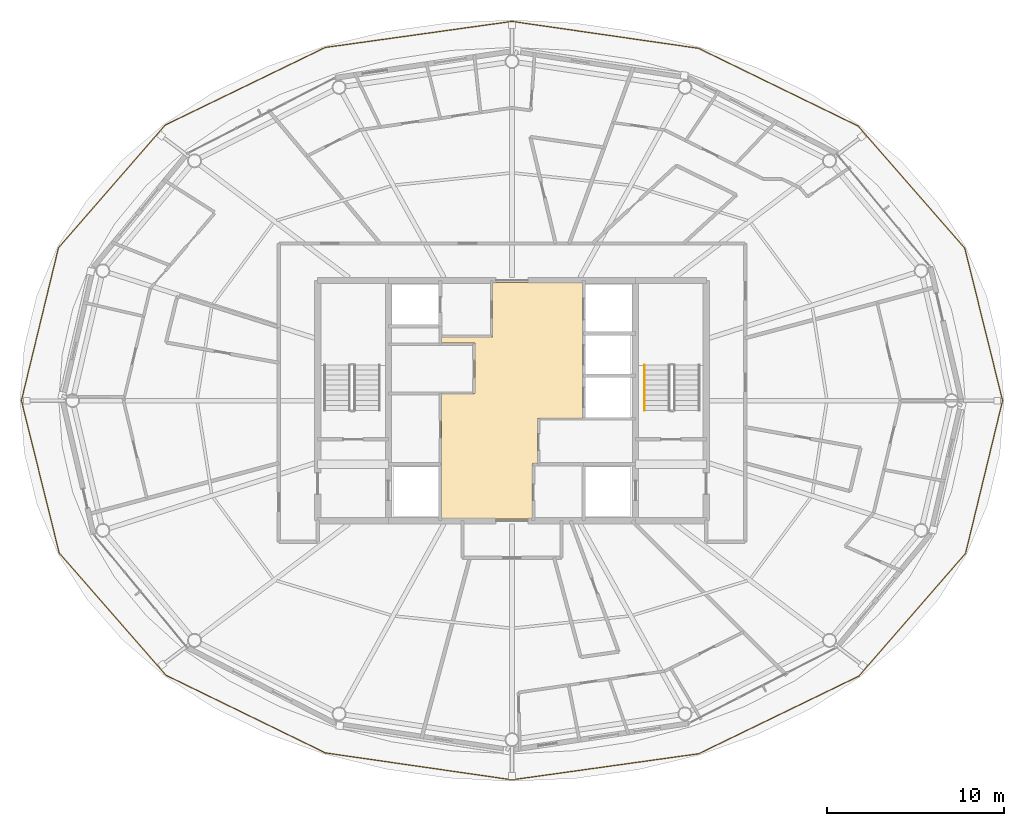
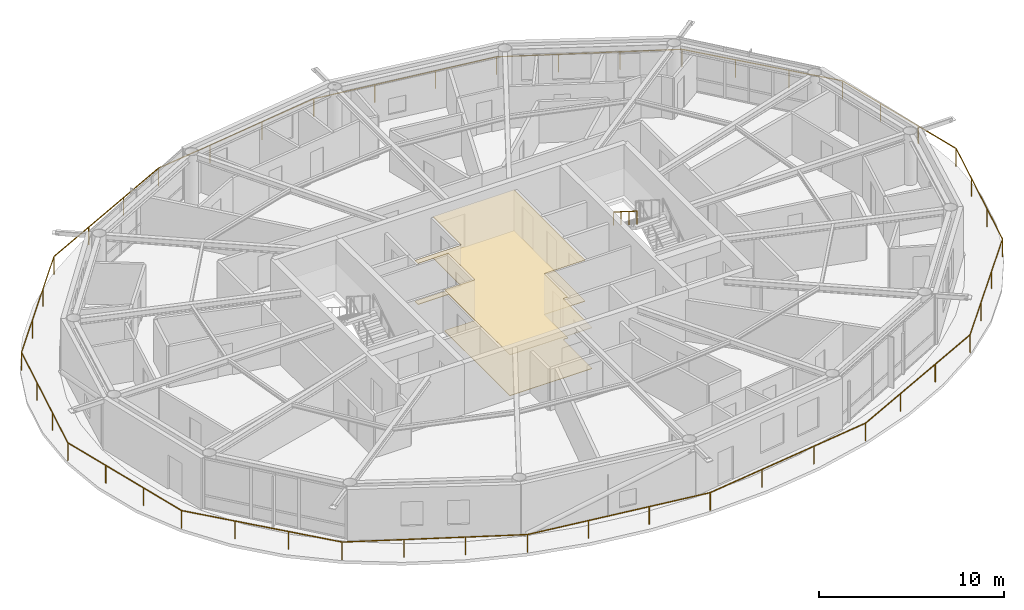
# One storey, part 22 of 23: 2 coverings, 2 railings.
"""IFC4 building model written with IfcOpenShell, lengths in metres."""

from ifc_helpers import new_model, si_unit, direction, frame, origin, origin_2d, place, context, subcontext, project, spatial, polyline, rectangle, outline, extrude, material, layer, layer_set, type_object, element, save


model = new_model("IFC4")

# Units and contexts
model_context = context("Model", 3, precision=1e-05, world=origin(), true_north=direction((0.0, 1.0)))
body_context = subcontext(model_context, "Body", "Model", "MODEL_VIEW")
ifc_project = project(units=[si_unit("LENGTHUNIT", "METRE"), si_unit("AREAUNIT", "SQUARE_METRE"), si_unit("VOLUMEUNIT", "CUBIC_METRE"), si_unit("PLANEANGLEUNIT", "RADIAN"), si_unit("MASSUNIT", "GRAM", prefix="KILO")], contexts=[model_context])

# Site, building, storey
site_placement = place(None, origin())
site = spatial("IfcSite", under=ifc_project, at=site_placement, CompositionType="ELEMENT")
building_placement = place(site_placement, origin())
building = spatial("IfcBuilding", under=site, at=building_placement, Name="Sarneth Arch Tower", CompositionType="ELEMENT")
storey_placement = place(building_placement, frame((0.0, 0.0, 265.800048828125)))
storey = spatial("IfcBuildingStorey", under=building, at=storey_placement, Name="L68", CompositionType="ELEMENT", Elevation=265.800048828125)

# Coverings
ifc_material_1 = material(Name="Perforated acoustic gypsum ceiling board")
ifc_layer_1 = layer(ifc_material_1, 0.02490234375)
ifc_layer_set_1 = layer_set([ifc_layer_1], Name="Perforated acoustic gypsum ceiling board")
covering_type_1 = type_object("IfcCoveringType", Name="COV-CEIL-GYP", PredefinedType="CEILING", material=ifc_layer_set_1)
covering_1_placement = place(storey_placement, frame((0.0, 0.0, 2.699951171875)))
element("IfcCovering", 1, at=covering_1_placement, inside=storey, type_object=covering_type_1, Name="L68 Lift lobby acoustic ceiling", PredefinedType="CEILING", context=body_context, shape_type="SweptSolid", body=[
    extrude(outline(polyline([(49.449951171875, 41.0), (49.449951171875, 38.449951171875), (49.14990234375, 38.449951171875), (49.14990234375, 35.300048828125), (44.0, 35.300048828125), (44.0, 42.39990234375), (45.89990234375, 42.39990234375), (45.89990234375, 45.25), (44.0, 45.25), (44.0, 45.60009765625), (46.89990234375, 45.60009765625), (46.89990234375, 48.699951171875), (52.0, 48.699951171875), (52.0, 41.0), (49.449951171875, 41.0)])), origin(), (0.0, 0.0, 1.0), 0.030029296875),
])
ifc_material_2 = material(Name="Honed granite stone flooring", Category="masonry")
ifc_layer_2 = layer(ifc_material_2, 0.030029296875)
ifc_layer_set_2 = layer_set([ifc_layer_2], Name="Honed granite stone flooring")
covering_type_2 = type_object("IfcCoveringType", Name="COV-FLR-STONE", PredefinedType="FLOORING", material=ifc_layer_set_2)
covering_2_placement = place(storey_placement, origin())
element("IfcCovering", 2, at=covering_2_placement, inside=storey, type_object=covering_type_2, Name="L68 Lift lobby granite flooring", PredefinedType="FLOORING", context=body_context, shape_type="SweptSolid", body=[
    extrude(outline(polyline([(49.449951171875, 41.0), (49.449951171875, 38.449951171875), (49.14990234375, 38.449951171875), (49.14990234375, 35.300048828125), (44.0, 35.300048828125), (44.0, 42.39990234375), (45.89990234375, 42.39990234375), (45.89990234375, 45.25), (44.0, 45.25), (44.0, 45.60009765625), (46.89990234375, 45.60009765625), (46.89990234375, 48.699951171875), (52.0, 48.699951171875), (52.0, 41.0), (49.449951171875, 41.0)])), origin(), (0.0, 0.0, 1.0), 0.030029296875),
])

# Railings
ifc_material_3 = material(Name="Laminated structural glass infill with Stainless Steel 316 top rail and posts", Category="steel")
railing_type_1 = type_object("IfcRailingType", Name="RAIL-BALC-1200", PredefinedType="BALUSTRADE", material=ifc_material_3)
railing_1_placement = place(storey_placement, frame((75.779052734375, 42.0, 0.0)))
element("IfcRailing", 3, at=railing_1_placement, inside=storey, type_object=railing_type_1, Name="L68 Helical balcony glass balustrade", PredefinedType="BALUSTRADE", context=body_context, shape_type="SweptSolid", body=[
    extrude(rectangle(XDim=0.048095703125, YDim=0.048095703125, at=origin_2d()), frame((0.0, 0.0, 1.17578125), z_axis=(-0.240745236753, 0.970588342698, 0.0), x_axis=(-0.970588342698, -0.240745236753, 0.0)), (0.0, 0.0, 1.0), 8.8896484375),
    extrude(rectangle(XDim=0.048095703125, YDim=0.048095703125, at=origin_2d()), frame((-2.14013671875, 8.628173828125, 1.17578125), z_axis=(-0.657716047195, 0.753265956527, 0.0), x_axis=(-0.753265956527, -0.657716047195, 0.0)), (0.0, 0.0, 1.0), 9.188232421875),
    extrude(rectangle(XDim=0.048095703125, YDim=0.048095703125, at=origin_2d()), frame((-8.183349609375, 15.54931640625, 1.17578125), z_axis=(-0.899103862188, 0.437735359547, 0.0), x_axis=(-0.437735359547, -0.899103862188, 0.0)), (0.0, 0.0, 1.0), 10.051513671875),
    extrude(rectangle(XDim=0.048095703125, YDim=0.048095703125, at=origin_2d()), frame((-17.220703125, 19.94921875, 1.17578125), z_axis=(-0.989763264235, 0.142718887224, 0.0), x_axis=(-0.142718887224, -0.989763264235, 0.0)), (0.0, 0.0, 1.0), 10.66748046875),
    extrude(rectangle(XDim=0.048095703125, YDim=0.048095703125, at=origin_2d()), frame((-27.779052734375, 21.4716796875, 1.17578125), z_axis=(-0.990388291125, -0.138314976787, 0.0), x_axis=(0.138314976787, -0.990388291125, 0.0)), (0.0, 0.0, 1.0), 10.67529296875),
    extrude(rectangle(XDim=0.048095703125, YDim=0.048095703125, at=origin_2d()), frame((-38.351806640625, 19.9951171875, 1.17578125), z_axis=(-0.89993777994, -0.436018339334, 0.0), x_axis=(0.436018339334, -0.89993777994, 0.0)), (0.0, 0.0, 1.0), 10.071533203125),
    extrude(rectangle(XDim=0.048095703125, YDim=0.048095703125, at=origin_2d()), frame((-47.41552734375, 15.603759765625, 1.17578125), z_axis=(-0.65612228702, -0.754654586202, 0.0), x_axis=(0.754654586202, -0.65612228702, 0.0)), (0.0, 0.0, 1.0), 9.21240234375),
    extrude(rectangle(XDim=0.048095703125, YDim=0.048095703125, at=origin_2d()), frame((-53.4599609375, 8.651611328125, 1.17578125), z_axis=(-0.235683224853, -0.971829932407, 0.0), x_axis=(0.971829932407, -0.235683224853, 0.0)), (0.0, 0.0, 1.0), 8.90234375),
    extrude(rectangle(XDim=0.048095703125, YDim=0.048095703125, at=origin_2d()), frame((-55.55810546875, 0.0, 1.17578125), z_axis=(0.240745236753, -0.970588342698, 0.0), x_axis=(0.970588342698, 0.240745236753, 0.0)), (0.0, 0.0, 1.0), 8.8896484375),
    extrude(rectangle(XDim=0.048095703125, YDim=0.048095703125, at=origin_2d()), frame((-53.41796875, -8.628173828125, 1.17578125), z_axis=(0.657716047195, -0.753265956527, 0.0), x_axis=(0.753265956527, 0.657716047195, 0.0)), (0.0, 0.0, 1.0), 9.188232421875),
    extrude(rectangle(XDim=0.048095703125, YDim=0.048095703125, at=origin_2d()), frame((-47.374755859375, -15.54931640625, 1.17578125), z_axis=(0.899103862188, -0.437735359547, 0.0), x_axis=(0.437735359547, 0.899103862188, 0.0)), (0.0, 0.0, 1.0), 10.051513671875),
    extrude(rectangle(XDim=0.048095703125, YDim=0.048095703125, at=origin_2d()), frame((-38.33740234375, -19.94921875, 1.17578125), z_axis=(0.989763264235, -0.142718887224, 0.0), x_axis=(0.142718887224, 0.989763264235, 0.0)), (0.0, 0.0, 1.0), 10.66748046875),
    extrude(rectangle(XDim=0.048095703125, YDim=0.048095703125, at=origin_2d()), frame((-27.779052734375, -21.4716796875, 1.17578125), z_axis=(0.990388291125, 0.138314976787, 0.0), x_axis=(-0.138314976787, 0.990388291125, 0.0)), (0.0, 0.0, 1.0), 10.67529296875),
    extrude(rectangle(XDim=0.048095703125, YDim=0.048095703125, at=origin_2d()), frame((-17.206298828125, -19.9951171875, 1.17578125), z_axis=(0.89993777994, 0.436018339334, 0.0), x_axis=(-0.436018339334, 0.89993777994, 0.0)), (0.0, 0.0, 1.0), 10.071533203125),
    extrude(rectangle(XDim=0.048095703125, YDim=0.048095703125, at=origin_2d()), frame((-8.142578125, -15.603759765625, 1.17578125), z_axis=(0.65612228702, 0.754654586202, 0.0), x_axis=(-0.754654586202, 0.65612228702, 0.0)), (0.0, 0.0, 1.0), 9.21240234375),
    extrude(rectangle(XDim=0.048095703125, YDim=0.048095703125, at=origin_2d()), frame((-2.09814453125, -8.651611328125, 1.17578125), z_axis=(0.235683224853, 0.971829932407, 0.0), x_axis=(-0.971829932407, 0.235683224853, 0.0)), (0.0, 0.0, 1.0), 8.90234375),
    extrude(rectangle(XDim=0.0419921875, YDim=0.0419921875, at=origin_2d()), origin(), (0.0, 0.0, 1.0), 1.15185546875),
    extrude(rectangle(XDim=0.0419921875, YDim=0.0419921875, at=origin_2d()), frame((-0.71337890625, 2.8759765625, 0.0)), (0.0, 0.0, 1.0), 1.15185546875),
    extrude(rectangle(XDim=0.0419921875, YDim=0.0419921875, at=origin_2d()), frame((-1.4267578125, 5.752197265625, 0.0)), (0.0, 0.0, 1.0), 1.15185546875),
    extrude(rectangle(XDim=0.0419921875, YDim=0.0419921875, at=origin_2d()), frame((-2.14013671875, 8.628173828125, 0.0)), (0.0, 0.0, 1.0), 1.15185546875),
    extrude(rectangle(XDim=0.0419921875, YDim=0.0419921875, at=origin_2d()), frame((-4.154541015625, 10.935302734375, 0.0)), (0.0, 0.0, 1.0), 1.15185546875),
    extrude(rectangle(XDim=0.0419921875, YDim=0.0419921875, at=origin_2d()), frame((-6.1689453125, 13.2421875, 0.0)), (0.0, 0.0, 1.0), 1.15185546875),
    extrude(rectangle(XDim=0.0419921875, YDim=0.0419921875, at=origin_2d()), frame((-8.183349609375, 15.54931640625, 0.0)), (0.0, 0.0, 1.0), 1.15185546875),
    extrude(rectangle(XDim=0.0419921875, YDim=0.0419921875, at=origin_2d()), frame((-11.19580078125, 17.015869140625, 0.0)), (0.0, 0.0, 1.0), 1.15185546875),
    extrude(rectangle(XDim=0.0419921875, YDim=0.0419921875, at=origin_2d()), frame((-14.208251953125, 18.482666015625, 0.0)), (0.0, 0.0, 1.0), 1.15185546875),
    extrude(rectangle(XDim=0.0419921875, YDim=0.0419921875, at=origin_2d()), frame((-17.220703125, 19.94921875, 0.0)), (0.0, 0.0, 1.0), 1.15185546875),
    extrude(rectangle(XDim=0.0419921875, YDim=0.0419921875, at=origin_2d()), frame((-20.740234375, 20.456787109375, 0.0)), (0.0, 0.0, 1.0), 1.15185546875),
    extrude(rectangle(XDim=0.0419921875, YDim=0.0419921875, at=origin_2d()), frame((-24.259521484375, 20.964111328125, 0.0)), (0.0, 0.0, 1.0), 1.15185546875),
    extrude(rectangle(XDim=0.0419921875, YDim=0.0419921875, at=origin_2d()), frame((-27.779052734375, 21.4716796875, 0.0)), (0.0, 0.0, 1.0), 1.15185546875),
    extrude(rectangle(XDim=0.0419921875, YDim=0.0419921875, at=origin_2d()), frame((-31.30322265625, 20.9794921875, 0.0)), (0.0, 0.0, 1.0), 1.15185546875),
    extrude(rectangle(XDim=0.0419921875, YDim=0.0419921875, at=origin_2d()), frame((-34.82763671875, 20.4873046875, 0.0)), (0.0, 0.0, 1.0), 1.15185546875),
    extrude(rectangle(XDim=0.0419921875, YDim=0.0419921875, at=origin_2d()), frame((-38.351806640625, 19.9951171875, 0.0)), (0.0, 0.0, 1.0), 1.15185546875),
    extrude(rectangle(XDim=0.0419921875, YDim=0.0419921875, at=origin_2d()), frame((-41.373046875, 18.53125, 0.0)), (0.0, 0.0, 1.0), 1.15185546875),
    extrude(rectangle(XDim=0.0419921875, YDim=0.0419921875, at=origin_2d()), frame((-44.394287109375, 17.067626953125, 0.0)), (0.0, 0.0, 1.0), 1.15185546875),
    extrude(rectangle(XDim=0.0419921875, YDim=0.0419921875, at=origin_2d()), frame((-47.41552734375, 15.603759765625, 0.0)), (0.0, 0.0, 1.0), 1.15185546875),
    extrude(rectangle(XDim=0.0419921875, YDim=0.0419921875, at=origin_2d()), frame((-49.430419921875, 13.286376953125, 0.0)), (0.0, 0.0, 1.0), 1.15185546875),
    extrude(rectangle(XDim=0.0419921875, YDim=0.0419921875, at=origin_2d()), frame((-51.445068359375, 10.968994140625, 0.0)), (0.0, 0.0, 1.0), 1.15185546875),
    extrude(rectangle(XDim=0.0419921875, YDim=0.0419921875, at=origin_2d()), frame((-53.4599609375, 8.651611328125, 0.0)), (0.0, 0.0, 1.0), 1.15185546875),
    extrude(rectangle(XDim=0.0419921875, YDim=0.0419921875, at=origin_2d()), frame((-54.159423828125, 5.767822265625, 0.0)), (0.0, 0.0, 1.0), 1.15185546875),
    extrude(rectangle(XDim=0.0419921875, YDim=0.0419921875, at=origin_2d()), frame((-54.858642578125, 2.8837890625, 0.0)), (0.0, 0.0, 1.0), 1.15185546875),
    extrude(rectangle(XDim=0.0419921875, YDim=0.0419921875, at=origin_2d()), frame((-55.55810546875, 0.0, 0.0)), (0.0, 0.0, 1.0), 1.15185546875),
    extrude(rectangle(XDim=0.0419921875, YDim=0.0419921875, at=origin_2d()), frame((-54.8447265625, -2.8759765625, 0.0)), (0.0, 0.0, 1.0), 1.15185546875),
    extrude(rectangle(XDim=0.0419921875, YDim=0.0419921875, at=origin_2d()), frame((-54.13134765625, -5.752197265625, 0.0)), (0.0, 0.0, 1.0), 1.15185546875),
    extrude(rectangle(XDim=0.0419921875, YDim=0.0419921875, at=origin_2d()), frame((-53.41796875, -8.628173828125, 0.0)), (0.0, 0.0, 1.0), 1.15185546875),
    extrude(rectangle(XDim=0.0419921875, YDim=0.0419921875, at=origin_2d()), frame((-51.403564453125, -10.935302734375, 0.0)), (0.0, 0.0, 1.0), 1.15185546875),
    extrude(rectangle(XDim=0.0419921875, YDim=0.0419921875, at=origin_2d()), frame((-49.38916015625, -13.2421875, 0.0)), (0.0, 0.0, 1.0), 1.15185546875),
    extrude(rectangle(XDim=0.0419921875, YDim=0.0419921875, at=origin_2d()), frame((-47.374755859375, -15.54931640625, 0.0)), (0.0, 0.0, 1.0), 1.15185546875),
    extrude(rectangle(XDim=0.0419921875, YDim=0.0419921875, at=origin_2d()), frame((-44.3623046875, -17.015869140625, 0.0)), (0.0, 0.0, 1.0), 1.15185546875),
    extrude(rectangle(XDim=0.0419921875, YDim=0.0419921875, at=origin_2d()), frame((-41.349853515625, -18.482666015625, 0.0)), (0.0, 0.0, 1.0), 1.15185546875),
    extrude(rectangle(XDim=0.0419921875, YDim=0.0419921875, at=origin_2d()), frame((-38.33740234375, -19.94921875, 0.0)), (0.0, 0.0, 1.0), 1.15185546875),
    extrude(rectangle(XDim=0.0419921875, YDim=0.0419921875, at=origin_2d()), frame((-34.81787109375, -20.456787109375, 0.0)), (0.0, 0.0, 1.0), 1.15185546875),
    extrude(rectangle(XDim=0.0419921875, YDim=0.0419921875, at=origin_2d()), frame((-31.298583984375, -20.964111328125, 0.0)), (0.0, 0.0, 1.0), 1.15185546875),
    extrude(rectangle(XDim=0.0419921875, YDim=0.0419921875, at=origin_2d()), frame((-27.779052734375, -21.4716796875, 0.0)), (0.0, 0.0, 1.0), 1.15185546875),
    extrude(rectangle(XDim=0.0419921875, YDim=0.0419921875, at=origin_2d()), frame((-24.2548828125, -20.9794921875, 0.0)), (0.0, 0.0, 1.0), 1.15185546875),
    extrude(rectangle(XDim=0.0419921875, YDim=0.0419921875, at=origin_2d()), frame((-20.73046875, -20.4873046875, 0.0)), (0.0, 0.0, 1.0), 1.15185546875),
    extrude(rectangle(XDim=0.0419921875, YDim=0.0419921875, at=origin_2d()), frame((-17.206298828125, -19.9951171875, 0.0)), (0.0, 0.0, 1.0), 1.15185546875),
    extrude(rectangle(XDim=0.0419921875, YDim=0.0419921875, at=origin_2d()), frame((-14.18505859375, -18.53125, 0.0)), (0.0, 0.0, 1.0), 1.15185546875),
    extrude(rectangle(XDim=0.0419921875, YDim=0.0419921875, at=origin_2d()), frame((-11.163818359375, -17.067626953125, 0.0)), (0.0, 0.0, 1.0), 1.15185546875),
    extrude(rectangle(XDim=0.0419921875, YDim=0.0419921875, at=origin_2d()), frame((-8.142578125, -15.603759765625, 0.0)), (0.0, 0.0, 1.0), 1.15185546875),
    extrude(rectangle(XDim=0.0419921875, YDim=0.0419921875, at=origin_2d()), frame((-6.127685546875, -13.286376953125, 0.0)), (0.0, 0.0, 1.0), 1.15185546875),
    extrude(rectangle(XDim=0.0419921875, YDim=0.0419921875, at=origin_2d()), frame((-4.113037109375, -10.968994140625, 0.0)), (0.0, 0.0, 1.0), 1.15185546875),
    extrude(rectangle(XDim=0.0419921875, YDim=0.0419921875, at=origin_2d()), frame((-2.09814453125, -8.651611328125, 0.0)), (0.0, 0.0, 1.0), 1.15185546875),
    extrude(rectangle(XDim=0.0419921875, YDim=0.0419921875, at=origin_2d()), frame((-1.398681640625, -5.767822265625, 0.0)), (0.0, 0.0, 1.0), 1.15185546875),
    extrude(rectangle(XDim=0.0419921875, YDim=0.0419921875, at=origin_2d()), frame((-0.699462890625, -2.8837890625, 0.0)), (0.0, 0.0, 1.0), 1.15185546875),
])
ifc_material_4 = material(Name="Brushed Stainless Steel 304 tubular handrail", Category="steel")
railing_type_2 = type_object("IfcRailingType", Name="RAIL-HANDRAIL-900", PredefinedType="HANDRAIL", material=ifc_material_4)
railing_2_placement = place(storey_placement, frame((55.5, 44.014892578125, 1.97998046875)))
element("IfcRailing", 4, at=railing_2_placement, inside=storey, type_object=railing_type_2, Name="L68 ST-2 stair handrail 2", PredefinedType="HANDRAIL", context=body_context, shape_type="SweptSolid", body=[
    extrude(rectangle(XDim=0.048095703125, YDim=0.048095703125, at=origin_2d()), frame((0.0, 0.0, 0.8759765625), z_axis=(0.0, -0.845502289212, 0.533971796014), x_axis=(1.0, 0.0, 0.0)), (0.0, 0.0, 1.0), 3.03369140625),
    extrude(rectangle(XDim=0.0419921875, YDim=0.0419921875, at=origin_2d()), origin(), (0.0, 0.0, 1.0), 0.851806640625),
    extrude(rectangle(XDim=0.0419921875, YDim=0.0419921875, at=origin_2d()), frame((0.0, -0.85498046875, 0.5400390625)), (0.0, 0.0, 1.0), 0.851806640625),
    extrude(rectangle(XDim=0.0419921875, YDim=0.0419921875, at=origin_2d()), frame((0.0, -1.7099609375, 1.079833984375)), (0.0, 0.0, 1.0), 0.851806640625),
    extrude(rectangle(XDim=0.0419921875, YDim=0.0419921875, at=origin_2d()), frame((0.0, -2.56494140625, 1.619873046875)), (0.0, 0.0, 1.0), 0.851806640625),
])

save(model, "model.ifc")
